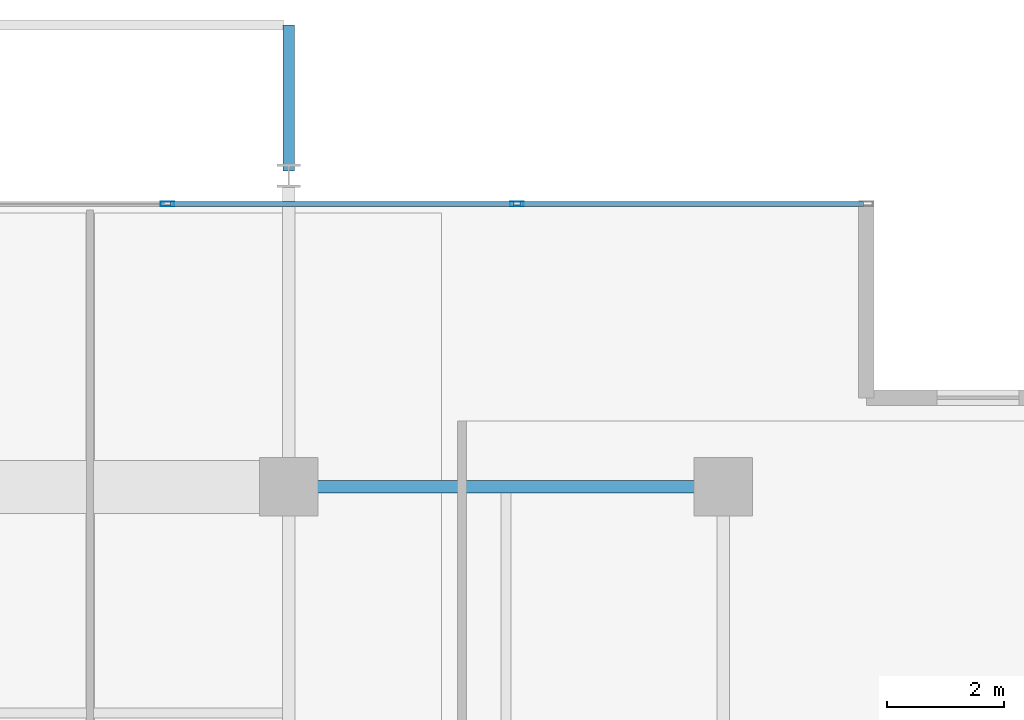
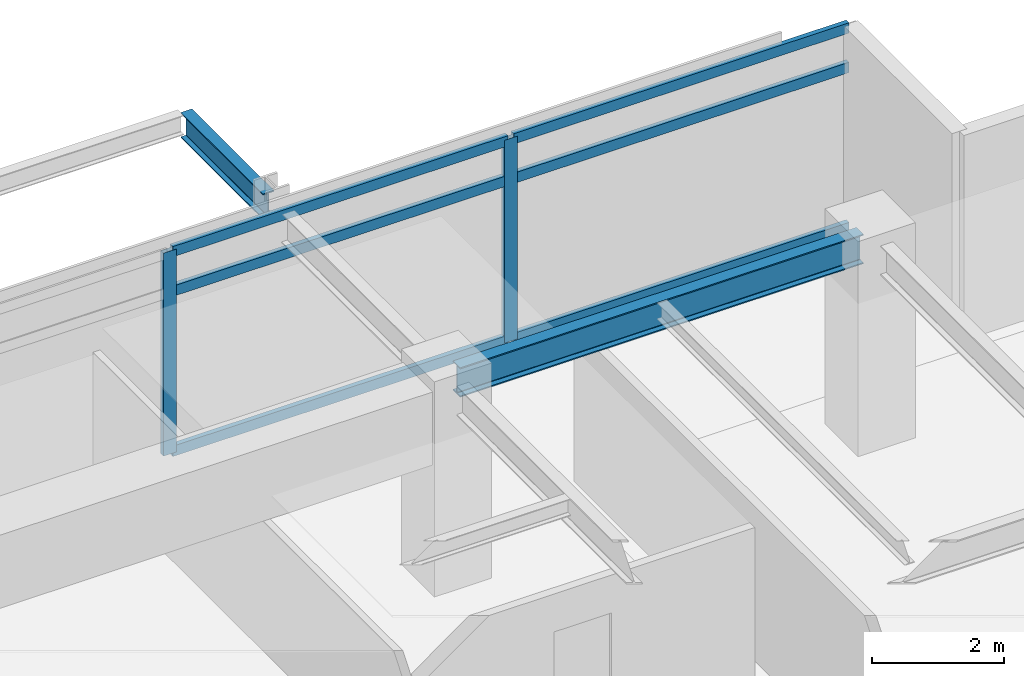
# One storey, part 11 of 21: 8 members, 2 beams, 1 element without a shape of its own.
"""IFC4 building model written with IfcOpenShell, lengths in metres."""

from ifc_helpers import new_model, si_unit, direction, frame, origin, origin_2d, place, context, subcontext, project, spatial, hollow_rectangle, i_section, extrude, material, material_profile, profile_set, type_object, element, aggregate, save


model = new_model("IFC4")

# Units and contexts
model_context = context("Model", 3, precision=1e-05, world=origin(), true_north=direction((0.0, 1.0)))
body_context = subcontext(model_context, "Body", "Model", "MODEL_VIEW")
ifc_project = project(units=[si_unit("LENGTHUNIT", "METRE"), si_unit("AREAUNIT", "SQUARE_METRE"), si_unit("VOLUMEUNIT", "CUBIC_METRE"), si_unit("PLANEANGLEUNIT", "RADIAN"), si_unit("MASSUNIT", "GRAM", prefix="KILO")], contexts=[model_context])

# Site, building, storey
site_placement = place(None, origin())
site = spatial("IfcSite", under=ifc_project, at=site_placement, CompositionType="ELEMENT")
building_placement = place(site_placement, origin())
building = spatial("IfcBuilding", under=site, at=building_placement, Name="Kovane Verandah Tower", CompositionType="ELEMENT")
storey_placement = place(building_placement, frame((0.0, 0.0, 314.800048828125)))
storey = spatial("IfcBuildingStorey", under=building, at=storey_placement, Name="L73", CompositionType="ELEMENT", Elevation=314.800048828125)

# Beam
ifc_material_1 = material(Name="Steel S355", Category="steel")
ifc_material_profile_1 = material_profile(ifc_material_1, i_section(OverallWidth=0.2119140625, OverallDepth=0.54443359375, WebThickness=0.0126953125, FlangeThickness=0.021240234375, FilletRadius=0.0126953125, at=origin_2d()), Name="UB533x210x122")
ifc_profile_set_1 = profile_set([ifc_material_profile_1], Name="Steel S355")
beam_type_1 = type_object("IfcBeamType", Name="BM-UB533x122", PredefinedType="BEAM", material=ifc_profile_set_1)
beam_1_placement = place(storey_placement, frame((51.179931640625, 44.199951171875, 3.5126953125), z_axis=(1.0, 0.0, 0.0), x_axis=(0.0, 1.0, 0.0)))
element("IfcBeam", 1, at=beam_1_placement, inside=storey, type_object=beam_type_1, Name="L73 Primary Tower Girder G-RN3", PredefinedType="BEAM", context=body_context, shape_type="SweptSolid", body=[
    extrude(i_section(OverallWidth=0.2119140625, OverallDepth=0.54443359375, WebThickness=0.0126953125, FlangeThickness=0.021240234375, FilletRadius=0.0126953125, at=origin_2d()), origin(), (0.0, 0.0, 1.0), 7.0400390625),
])

# Curtain wall, members
ifc_material_2 = material(Name="Champagne Anodised Aluminium Frame with Low-E Clear Laminated Glass", Category="aluminium")
curtain_wall_type = type_object("IfcCurtainWallType", Name="CW-SYS-05-HIGH", PredefinedType="NOTDEFINED", material=ifc_material_2)
curtain_wall_placement = place(storey_placement, origin())
curtain_wall = element("IfcCurtainWall", 2, at=curtain_wall_placement, inside=storey, type_object=curtain_wall_type, Name="L73 N Unitised Curtain Wall", PredefinedType="NOTDEFINED")
ifc_material_3 = material(Name="Champagne Anodised Aluminium 6063-T6", Category="aluminium")
ifc_material_profile_2 = material_profile(ifc_material_3, hollow_rectangle(XDim=0.0849609375, YDim=0.22998046875, WallThickness=0.00390625, at=origin_2d()), Name="AL85x230x4")
ifc_profile_set_2 = profile_set([ifc_material_profile_2], Name="Champagne Anodised Aluminium 6063-T6")
member_type_1 = type_object("IfcMemberType", Name="CW-MUL-85x230", PredefinedType="MULLION", material=ifc_profile_set_2)
member_1_placement = place(storey_placement, frame((54.883056640625, 49.018310546875, 0.02001953125), z_axis=(0.0, 0.0, 1.0), x_axis=(0.0, 1.0, 0.0)))
member_1 = element("IfcMember", 3, at=member_1_placement, type_object=member_type_1, Name="L73 N Unitised Curtain Wall Mullion 2", PredefinedType="MULLION", context=body_context, shape_type="SweptSolid", body=[
    extrude(hollow_rectangle(XDim=0.0849609375, YDim=0.22998046875, WallThickness=0.00390625, at=origin_2d()), origin(), (0.0, 0.0, 1.0), 3.744873046875),
])
member_2_placement = place(storey_placement, frame((48.929931640625, 49.018310546875, 0.02001953125), z_axis=(0.0, 0.0, 1.0), x_axis=(0.0, 1.0, 0.0)))
member_2 = element("IfcMember", 4, at=member_2_placement, type_object=member_type_1, Name="L73 N Unitised Curtain Wall Mullion 3", PredefinedType="MULLION", context=body_context, shape_type="SweptSolid", body=[
    extrude(hollow_rectangle(XDim=0.0849609375, YDim=0.22998046875, WallThickness=0.00390625, at=origin_2d()), origin(), (0.0, 0.0, 1.0), 3.744873046875),
])
ifc_material_profile_3 = material_profile(ifc_material_3, hollow_rectangle(XDim=0.0849609375, YDim=0.18994140625, WallThickness=0.00390625, at=origin_2d()), Name="AL85x190x4")
ifc_profile_set_3 = profile_set([ifc_material_profile_3], Name="Champagne Anodised Aluminium 6063-T6")
member_type_2 = type_object("IfcMemberType", Name="CW-TRN-85x190", PredefinedType="USERDEFINED", material=ifc_profile_set_3)
member_3_placement = place(storey_placement, frame((60.786376953125, 49.018310546875, 0.050048828125), z_axis=(-1.0, 0.0, 0.0), x_axis=(0.0, -1.0, 0.0)))
member_3 = element("IfcMember", 5, at=member_3_placement, type_object=member_type_2, Name="L73 N Unitised Curtain Wall Transom TB Bay 1", ObjectType="TRANSOM", PredefinedType="USERDEFINED", context=body_context, shape_type="SweptSolid", body=[
    extrude(hollow_rectangle(XDim=0.0849609375, YDim=0.18994140625, WallThickness=0.00390625, at=origin_2d()), origin(), (0.0, 0.0, 1.0), 5.853271484375),
])
member_4_placement = place(storey_placement, frame((60.786376953125, 49.018310546875, 3.0048828125), z_axis=(-1.0, 0.0, 0.0), x_axis=(0.0, -1.0, 0.0)))
member_4 = element("IfcMember", 6, at=member_4_placement, type_object=member_type_2, Name="L73 N Unitised Curtain Wall Transom TM Bay 1", ObjectType="TRANSOM", PredefinedType="USERDEFINED", context=body_context, shape_type="SweptSolid", body=[
    extrude(hollow_rectangle(XDim=0.0849609375, YDim=0.18994140625, WallThickness=0.00390625, at=origin_2d()), origin(), (0.0, 0.0, 1.0), 5.853271484375),
])
member_5_placement = place(storey_placement, frame((60.786376953125, 49.018310546875, 3.73486328125), z_axis=(-1.0, 0.0, 0.0), x_axis=(0.0, -1.0, 0.0)))
member_5 = element("IfcMember", 7, at=member_5_placement, type_object=member_type_2, Name="L73 N Unitised Curtain Wall Transom TT Bay 1", ObjectType="TRANSOM", PredefinedType="USERDEFINED", context=body_context, shape_type="SweptSolid", body=[
    extrude(hollow_rectangle(XDim=0.0849609375, YDim=0.18994140625, WallThickness=0.00390625, at=origin_2d()), origin(), (0.0, 0.0, 1.0), 5.853271484375),
])
member_6_placement = place(storey_placement, frame((54.8330078125, 49.018310546875, 0.050048828125), z_axis=(-1.0, 0.0, 0.0), x_axis=(0.0, -1.0, 0.0)))
member_6 = element("IfcMember", 8, at=member_6_placement, type_object=member_type_2, Name="L73 N Unitised Curtain Wall Transom TB Bay 2", ObjectType="TRANSOM", PredefinedType="USERDEFINED", context=body_context, shape_type="SweptSolid", body=[
    extrude(hollow_rectangle(XDim=0.0849609375, YDim=0.18994140625, WallThickness=0.00390625, at=origin_2d()), origin(), (0.0, 0.0, 1.0), 5.85302734375),
])
member_7_placement = place(storey_placement, frame((54.8330078125, 49.018310546875, 3.0048828125), z_axis=(-1.0, 0.0, 0.0), x_axis=(0.0, -1.0, 0.0)))
member_7 = element("IfcMember", 9, at=member_7_placement, type_object=member_type_2, Name="L73 N Unitised Curtain Wall Transom TM Bay 2", ObjectType="TRANSOM", PredefinedType="USERDEFINED", context=body_context, shape_type="SweptSolid", body=[
    extrude(hollow_rectangle(XDim=0.0849609375, YDim=0.18994140625, WallThickness=0.00390625, at=origin_2d()), origin(), (0.0, 0.0, 1.0), 5.85302734375),
])
member_8_placement = place(storey_placement, frame((54.8330078125, 49.018310546875, 3.73486328125), z_axis=(-1.0, 0.0, 0.0), x_axis=(0.0, -1.0, 0.0)))
member_8 = element("IfcMember", 10, at=member_8_placement, type_object=member_type_2, Name="L73 N Unitised Curtain Wall Transom TT Bay 2", ObjectType="TRANSOM", PredefinedType="USERDEFINED", context=body_context, shape_type="SweptSolid", body=[
    extrude(hollow_rectangle(XDim=0.0849609375, YDim=0.18994140625, WallThickness=0.00390625, at=origin_2d()), origin(), (0.0, 0.0, 1.0), 5.85302734375),
])
aggregate(curtain_wall, [member_1, member_2, member_3, member_4, member_5, member_6, member_7, member_8])

# Beam
ifc_material_profile_4 = material_profile(ifc_material_1, i_section(OverallWidth=0.19287109375, OverallDepth=0.46728515625, WebThickness=0.011474609375, FlangeThickness=0.01953125, FilletRadius=0.01025390625, at=origin_2d()), Name="UB457x191x98")
ifc_profile_set_4 = profile_set([ifc_material_profile_4], Name="Steel S355")
beam_type_2 = type_object("IfcBeamType", Name="JST-UB457x98", PredefinedType="JOIST", material=ifc_profile_set_4)
beam_2_placement = place(storey_placement, frame((51.0, 49.580078125, 3.5263671875), z_axis=(0.0, 1.0, 0.0), x_axis=(-1.0, 0.0, 0.0)))
element("IfcBeam", 11, at=beam_2_placement, inside=storey, type_object=beam_type_2, Name="L73 North Planter Girder 2", PredefinedType="JOIST", context=body_context, shape_type="SweptSolid", body=[
    extrude(i_section(OverallWidth=0.19287109375, OverallDepth=0.46728515625, WebThickness=0.011474609375, FlangeThickness=0.01953125, FilletRadius=0.01025390625, at=origin_2d()), origin(), (0.0, 0.0, 1.0), 2.485595703125),
])

save(model, "model.ifc")
